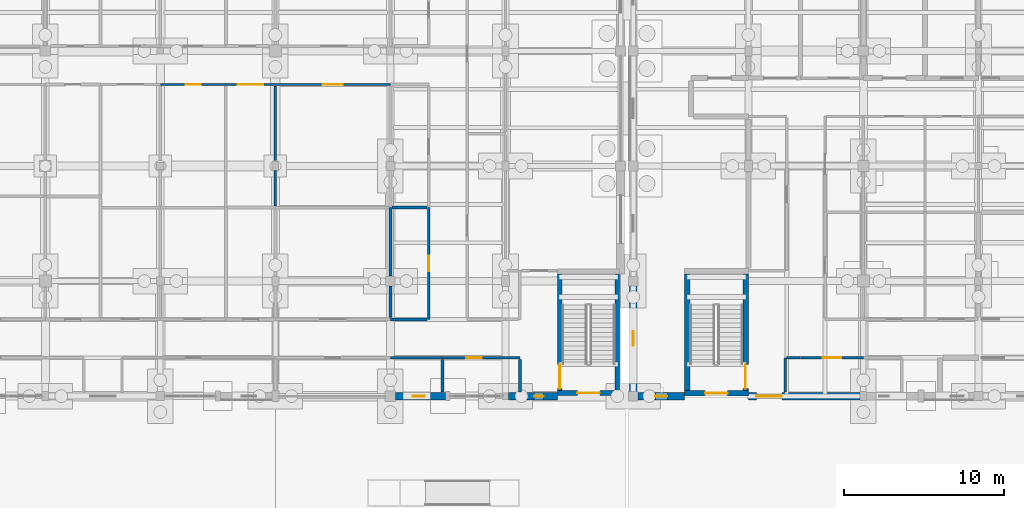
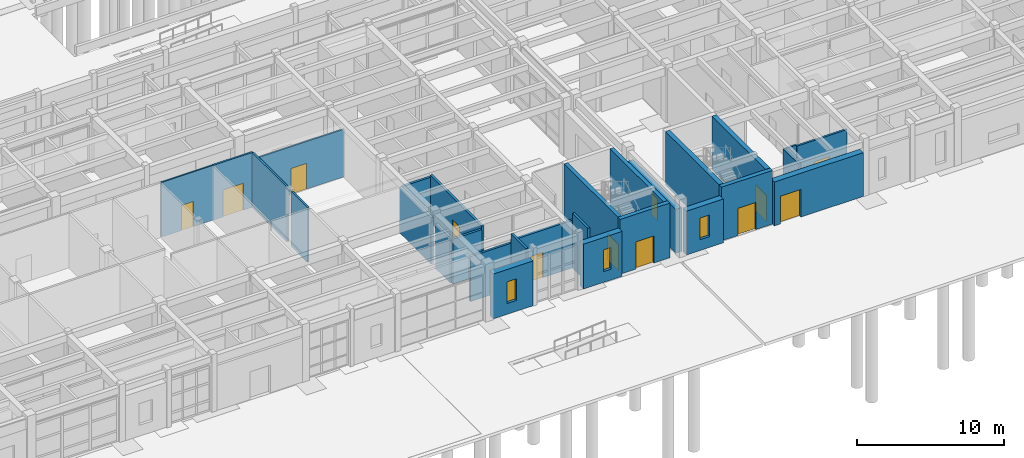
# One storey, part 100 of 143: 29 walls, 11 doors, 4 windows, 15 openings.
"""IFC4 building model written with IfcOpenShell, lengths in metres."""

import ifcopenshell
import ifcopenshell.guid

model = None  # the IFC model being written
_history = None  # IfcOwnerHistory: only IFC2X3 demands one
_inside = {}  # id of a spatial element -> (the spatial element, [elements in it])
_under = {}  # id of a project, library or spatial element -> (it, [spatial elements below it])
_declared = {}  # id of a project -> (the project, [libraries it declares])
_typed = {}  # id of a type object -> (the type object, [elements of that type])
_made_of = {}  # id of a material, layer set ... -> (it, [elements and type objects made of it])


def new_model(schema):
    """Start an empty IFC model of exactly this schema.

    Asked for "IFC4X3", IfcOpenShell would pick the latest addendum, in which some entities
    have other attributes; the version numbers below select the first issue.
    IFC2X3 requires an IfcOwnerHistory on every rooted entity: one is made here for all.
    """
    global model, _history
    if schema == "IFC4X3":
        model = ifcopenshell.file(schema_version=(4, 3, 0, 0))
    else:
        model = ifcopenshell.file(schema=schema)
    _inside.clear()
    _under.clear()
    _declared.clear()
    _typed.clear()
    _made_of.clear()
    _history = None
    if model.schema == "IFC2X3":
        org = make("IfcOrganization", Name="unknown")
        user = make(
            "IfcPersonAndOrganization",
            ThePerson=make("IfcPerson", FamilyName="unknown"),
            TheOrganization=org,
        )
        app = make(
            "IfcApplication",
            ApplicationDeveloper=org,
            Version="unknown",
            ApplicationFullName="unknown",
            ApplicationIdentifier="unknown",
        )
        _history = make(
            "IfcOwnerHistory",
            OwningUser=user,
            OwningApplication=app,
            ChangeAction="ADDED",
            CreationDate=0,
        )
    return model


def make(cls, **values):
    """One entity of the class cls with the attributes given. An attribute that is None is left unset."""
    return model.create_entity(
        cls, **{name: value for name, value in values.items() if value is not None}
    )


def rooted(cls, **values):
    """An entity with a GlobalId (a new one), such as an element, a storey or a relation."""
    return make(cls, GlobalId=ifcopenshell.guid.new(), OwnerHistory=_history, **values)


def si_unit(unit_type, name, prefix=None):
    """IfcSIUnit, for example si_unit("LENGTHUNIT", "METRE", prefix="MILLI")."""
    return make("IfcSIUnit", UnitType=unit_type, Prefix=prefix, Name=name)


def assignment(units):
    """IfcUnitAssignment: the units of a project."""
    return None if units is None else make("IfcUnitAssignment", Units=units)


def point(xyz):
    """IfcCartesianPoint."""
    return None if xyz is None else make("IfcCartesianPoint", Coordinates=xyz)


def direction(xyz):
    """IfcDirection."""
    return None if xyz is None else make("IfcDirection", DirectionRatios=xyz)


def frame(location, z_axis=None, x_axis=None):
    """IfcAxis2Placement3D, a coordinate frame: its origin and axes. An axis left out is left unset."""
    return make(
        "IfcAxis2Placement3D",
        Location=point(location),
        Axis=direction(z_axis),
        RefDirection=direction(x_axis),
    )


def frame_2d(location, x_axis=None):
    """IfcAxis2Placement2D, a coordinate frame in the plane: its origin and x axis."""
    return make(
        "IfcAxis2Placement2D", Location=point(location), RefDirection=direction(x_axis)
    )


def origin():
    """The frame at (0, 0, 0) with its axes left unset."""
    return frame((0.0, 0.0, 0.0))


def place(relative_to, where):
    """IfcLocalPlacement: puts the frame where relative to a parent placement (None: the world)."""
    return make(
        "IfcLocalPlacement", PlacementRelTo=relative_to, RelativePlacement=where
    )


def context(
    kind, dimensions, precision=None, world=None, true_north=None, identifier=None
):
    """IfcGeometricRepresentationContext, for example the 3D "Model" context."""
    return make(
        "IfcGeometricRepresentationContext",
        ContextIdentifier=identifier,
        ContextType=kind,
        CoordinateSpaceDimension=dimensions,
        Precision=precision,
        WorldCoordinateSystem=world,
        TrueNorth=true_north,
    )


def subcontext(parent, identifier, kind, view, scale=None):
    """IfcGeometricRepresentationSubContext, for example "Body" below "Model"."""
    return make(
        "IfcGeometricRepresentationSubContext",
        ContextIdentifier=identifier,
        ContextType=kind,
        ParentContext=parent,
        TargetScale=scale,
        TargetView=view,
    )


def project(units=None, contexts=None):
    """IfcProject with its units and contexts."""
    return rooted(
        "IfcProject",
        Name="project",
        RepresentationContexts=contexts,
        UnitsInContext=assignment(units),
    )


def spatial(cls, under=None, at=None, **own):
    """A site, building, storey or space (cls), placed at a placement, below another one or the project."""
    s = rooted(cls, ObjectPlacement=at, **own)
    if under is not None:
        _under.setdefault(under.id(), (under, []))[1].append(s)
    return s


def profile(cls, at=None, kind="AREA", **sizes):
    """A parametric profile (cls). Its sizes go by their IFC names, for example OverallWidth=200.0."""
    return make(cls, ProfileType=kind, Position=at, **sizes)


def rectangle(**sizes):
    """IfcRectangleProfileDef."""
    return profile("IfcRectangleProfileDef", **sizes)


def extrude(swept, where, along, depth):
    """IfcExtrudedAreaSolid: the profile swept, set in the frame where, extruded along a direction by depth."""
    return make(
        "IfcExtrudedAreaSolid",
        SweptArea=swept,
        Position=where,
        ExtrudedDirection=direction(along),
        Depth=depth,
    )


def shape(context_of_items, identifier, shape_type, items):
    """IfcShapeRepresentation: the items that make up one representation, for example the "Body"."""
    return make(
        "IfcShapeRepresentation",
        ContextOfItems=context_of_items,
        RepresentationIdentifier=identifier,
        RepresentationType=shape_type,
        Items=items,
    )


def material(Name=None, Category=None):
    """IfcMaterial."""
    return make("IfcMaterial", Name=Name, Category=Category)


def layer(
    of_material, thickness, ventilated=None, Name=None, Category=None, Priority=None
):
    """IfcMaterialLayer: one layer of a wall or slab, of a material (None: an air gap)."""
    return make(
        "IfcMaterialLayer",
        Material=of_material,
        LayerThickness=thickness,
        IsVentilated=ventilated,
        Name=Name,
        Category=Category,
        Priority=Priority,
    )


def layer_set(layers, Name=None):
    """IfcMaterialLayerSet."""
    return make("IfcMaterialLayerSet", MaterialLayers=layers, LayerSetName=Name)


def made_of(thing, what):
    """Note that an element or type object is made of a material, layer set ...; save() writes the relation."""
    if what is not None:
        _made_of.setdefault(what.id(), (what, []))[1].append(thing)
    return thing


def type_object(cls, material=None, **own):
    """A type object (cls), such as IfcWallType, which elements share."""
    return made_of(rooted(cls, **own), material)


def element(
    cls,
    number,
    at=None,
    inside=None,
    cuts=None,
    type_object=None,
    material=None,
    context=None,
    identifier="Body",
    shape_type=None,
    held_by="IfcProductDefinitionShape",
    body=None,
    shapes=None,
    **own,
):
    """One element of the class cls, such as IfcWall. Its Tag is "e" and its number.

    at: its placement. inside: the storey or other place that contains it. cuts: it is an
    opening in that element (IfcRelVoidsElement). A single representation is given by context,
    identifier, shape_type and body (its items); several are given by shapes. held_by: the class
    of the entity that holds the representations. save() writes the other relations.
    """
    e = rooted(cls, Tag="e%d" % number, ObjectPlacement=at, **own)
    if body is not None:
        shapes = [shape(context, identifier, shape_type, body)]
    if shapes is not None:
        e.Representation = make(held_by, Representations=shapes)
    if inside is not None:
        _inside.setdefault(inside.id(), (inside, []))[1].append(e)
    if cuts is not None:
        rooted(
            "IfcRelVoidsElement", RelatingBuildingElement=cuts, RelatedOpeningElement=e
        )
    if type_object is not None:
        _typed.setdefault(type_object.id(), (type_object, []))[1].append(e)
    return made_of(e, material)


def fill(opening, filler):
    """IfcRelFillsElement: the door or window that sits in an opening."""
    return rooted(
        "IfcRelFillsElement",
        RelatingOpeningElement=opening,
        RelatedBuildingElement=filler,
    )


def aggregate(whole, parts):
    """IfcRelAggregates: a whole, such as a stair, and the parts it consists of."""
    return rooted("IfcRelAggregates", RelatingObject=whole, RelatedObjects=parts)


def save(model, path):
    """Write the relations noted so far, then the file.

    IfcRelAggregates (storeys below a building ...), IfcRelContainedInSpatialStructure (elements
    in a storey), IfcRelDefinesByType, IfcRelAssociatesMaterial and IfcRelDeclares: one each for
    every whole, place, type object, material and project.
    """
    for whole, parts in _under.values():
        aggregate(whole, parts)
    for where, things in _inside.values():
        rooted(
            "IfcRelContainedInSpatialStructure",
            RelatedElements=things,
            RelatingStructure=where,
        )
    for kind, things in _typed.values():
        rooted("IfcRelDefinesByType", RelatedObjects=things, RelatingType=kind)
    for what, things in _made_of.values():
        rooted("IfcRelAssociatesMaterial", RelatedObjects=things, RelatingMaterial=what)
    for by, libraries in _declared.values():
        rooted("IfcRelDeclares", RelatingContext=by, RelatedDefinitions=libraries)
    model.write(path)


model = new_model("IFC4")

# Units and contexts
model_context = context("Model", 3, precision=1e-05, world=origin(), true_north=direction((0.0, 1.0)))
body_context = subcontext(model_context, "Body", "Model", "MODEL_VIEW")
ifc_project = project(units=[si_unit("LENGTHUNIT", "METRE"), si_unit("AREAUNIT", "SQUARE_METRE"), si_unit("VOLUMEUNIT", "CUBIC_METRE"), si_unit("PLANEANGLEUNIT", "RADIAN"), si_unit("MASSUNIT", "GRAM", prefix="KILO")], contexts=[model_context])

# Site, building, storey
site_placement = place(None, origin())
site = spatial("IfcSite", under=ifc_project, at=site_placement, CompositionType="ELEMENT")
building_placement = place(site_placement, origin())
building = spatial("IfcBuilding", under=site, at=building_placement, Name="Steenspoor Specialist Clinic", CompositionType="ELEMENT")
storey_placement = place(building_placement, origin())
storey = spatial("IfcBuildingStorey", under=building, at=storey_placement, Name="L00", CompositionType="ELEMENT", Elevation=0.0)

# Wall, opening, window
ifc_material_1 = material(Name="Volcanic basalt ashlar masonry", Category="masonry")
ifc_layer_1 = layer(ifc_material_1, 0.47998046875)
ifc_layer_set_1 = layer_set([ifc_layer_1], Name="Volcanic basalt ashlar masonry")
wall_type_1 = type_object("IfcWallType", Name="W-BASALT-480", PredefinedType="SOLIDWALL", material=ifc_layer_set_1)
wall_1_placement = place(storey_placement, frame((113.25, 13.050048828125, 0.0), z_axis=(0.0, 0.0, 1.0), x_axis=(-1.0, 0.0, 0.0)))
wall_1 = element("IfcWall", 1, at=wall_1_placement, inside=storey, type_object=wall_type_1, Name="Exterior Brick Wall EW-V1-L00-0001", PredefinedType="SOLIDWALL", context=body_context, shape_type="SweptSolid", body=[
    extrude(rectangle(XDim=3.050048828125, YDim=0.47998046875, at=frame_2d((1.52490234375, 0.0))), origin(), (0.0, 0.0, 1.0), 3.72998046875),
])
opening_1_placement = place(wall_1_placement, frame((0.864990234375, 0.0, 0.89990234375)))
opening_1 = element("IfcOpeningElement", 2, at=opening_1_placement, cuts=wall_1, Name="Opening WN-01", PredefinedType="OPENING", context=body_context, shape_type="SweptSolid", body=[
    extrude(rectangle(XDim=0.60009765625, YDim=1.800048828125, at=frame_2d((0.300048828125, 0.89990234375))), frame((0.0, 0.25, 0.0), z_axis=(0.0, -1.0, 0.0), x_axis=(1.0, 0.0, 0.0)), (0.0, 0.0, 1.0), 0.5),
])
ifc_material_2 = material(Name="Thermally broken aluminium and low-emissivity glass", Category="aluminium")
window_type_1 = type_object("IfcWindowType", Name="WN-EXT-060X180", PartitioningType="SINGLE_PANEL", PredefinedType="WINDOW", material=ifc_material_2)
window_1_placement = place(opening_1_placement, origin())
window_1 = element("IfcWindow", 3, at=window_1_placement, inside=storey, type_object=window_type_1, Name="Window 0001", OverallHeight=1.800048828125, OverallWidth=0.60009765625, PartitioningType="SINGLE_PANEL", PredefinedType="WINDOW", context=body_context, shape_type="SweptSolid", body=[
    extrude(rectangle(XDim=0.60009765625, YDim=1.800048828125, at=frame_2d((0.300048828125, 0.89990234375))), frame((0.0, 0.030029296875, 0.0), z_axis=(0.0, -1.0, 0.0), x_axis=(1.0, 0.0, 0.0)), (0.0, 0.0, 1.0), 0.06005859375),
])
fill(opening_1, window_1)

wall_2_placement = place(storey_placement, frame((106.260009765625, 13.050048828125, 0.0), z_axis=(0.0, 0.0, 1.0), x_axis=(-1.0, 0.0, 0.0)))
wall_2 = element("IfcWall", 4, at=wall_2_placement, inside=storey, type_object=wall_type_1, Name="Exterior Brick Wall EW-V1-L00-0002", PredefinedType="SOLIDWALL", context=body_context, shape_type="SweptSolid", body=[
    extrude(rectangle(XDim=3.135009765625, YDim=0.47998046875, at=frame_2d((1.5673828125, 0.0))), origin(), (0.0, 0.0, 1.0), 3.72998046875),
])
opening_2_placement = place(wall_2_placement, frame((1.3076171875, 0.0, 0.89990234375)))
opening_2 = element("IfcOpeningElement", 5, at=opening_2_placement, cuts=wall_2, Name="Opening WN-02", PredefinedType="OPENING", context=body_context, shape_type="SweptSolid", body=[
    extrude(rectangle(XDim=0.75, YDim=1.800048828125, at=frame_2d((0.375, 0.89990234375))), frame((0.0, 0.25, 0.0), z_axis=(0.0, -1.0, 0.0), x_axis=(1.0, 0.0, 0.0)), (0.0, 0.0, 1.0), 0.5),
])
window_type_2 = type_object("IfcWindowType", Name="WN-EXT-075X180", PartitioningType="SINGLE_PANEL", PredefinedType="WINDOW", material=ifc_material_2)
window_2_placement = place(opening_2_placement, origin())
window_2 = element("IfcWindow", 6, at=window_2_placement, inside=storey, type_object=window_type_2, Name="Window 0002", OverallHeight=1.800048828125, OverallWidth=0.75, PartitioningType="SINGLE_PANEL", PredefinedType="WINDOW", context=body_context, shape_type="SweptSolid", body=[
    extrude(rectangle(XDim=0.75, YDim=1.800048828125, at=frame_2d((0.375, 0.89990234375))), frame((0.0, 0.030029296875, 0.0), z_axis=(0.0, -1.0, 0.0), x_axis=(1.0, 0.0, 0.0)), (0.0, 0.0, 1.0), 0.06005859375),
])
fill(opening_2, window_2)

# Wall, opening, door
wall_3_placement = place(storey_placement, frame((132.199951171875, 13.050048828125, 0.0), z_axis=(0.0, 0.0, 1.0), x_axis=(-1.0, 0.0, 0.0)))
wall_3 = element("IfcWall", 7, at=wall_3_placement, inside=storey, type_object=wall_type_1, Name="Exterior Brick Wall EW-V2-L00-0041", PredefinedType="SOLIDWALL", context=body_context, shape_type="SweptSolid", body=[
    extrude(rectangle(XDim=7.0, YDim=0.47998046875, at=frame_2d((3.5, 0.0))), origin(), (0.0, 0.0, 1.0), 3.639892578125),
])
opening_3_placement = place(wall_3_placement, frame((4.905029296875, 0.0, 0.0)))
opening_3 = element("IfcOpeningElement", 8, at=opening_3_placement, cuts=wall_3, Name="Opening ED14", PredefinedType="OPENING", context=body_context, shape_type="SweptSolid", body=[
    extrude(rectangle(XDim=1.60009765625, YDim=2.300048828125, at=frame_2d((0.800048828125, 1.14990234375))), frame((0.0, 0.25, 0.0), z_axis=(0.0, -1.0, 0.0), x_axis=(1.0, 0.0, 0.0)), (0.0, 0.0, 1.0), 0.5),
])
ifc_material_3 = material(Name="Anodised aluminium and safety glass", Category="aluminium")
door_type_1 = type_object("IfcDoorType", Name="DT-EXIT-160X230", OperationType="NOTDEFINED", PredefinedType="DOOR", material=ifc_material_3)
door_1_placement = place(opening_3_placement, origin())
door_1 = element("IfcDoor", 9, at=door_1_placement, inside=storey, type_object=door_type_1, Name="Main Pedestrian Entrance Exit ED14", OperationType="DOUBLE_DOOR_SINGLE_SWING", OverallHeight=2.300048828125, OverallWidth=1.60009765625, PredefinedType="DOOR", context=body_context, shape_type="SweptSolid", body=[
    extrude(rectangle(XDim=1.60009765625, YDim=2.300048828125, at=frame_2d((0.800048828125, 1.14990234375))), frame((0.0, 0.02490234375, 0.0), z_axis=(0.0, -1.0, 0.0), x_axis=(1.0, 0.0, 0.0)), (0.0, 0.0, 1.0), 0.050048828125),
])
fill(opening_3, door_1)

# Wall, opening, window
wall_4_placement = place(storey_placement, frame((121.199951171875, 13.050048828125, 0.0), z_axis=(0.0, 0.0, 1.0), x_axis=(-1.0, 0.0, 0.0)))
wall_4 = element("IfcWall", 10, at=wall_4_placement, inside=storey, type_object=wall_type_1, Name="Exterior Brick Wall EW-V2-L00-0042", PredefinedType="SOLIDWALL", context=body_context, shape_type="SweptSolid", body=[
    extrude(rectangle(XDim=2.89990234375, YDim=0.47998046875, at=frame_2d((1.449951171875, 0.0))), origin(), (0.0, 0.0, 1.0), 3.639892578125),
])
opening_4_placement = place(wall_4_placement, frame((1.074951171875, 0.0, 0.89990234375)))
opening_4 = element("IfcOpeningElement", 11, at=opening_4_placement, cuts=wall_4, Name="Opening WN-02", PredefinedType="OPENING", context=body_context, shape_type="SweptSolid", body=[
    extrude(rectangle(XDim=0.75, YDim=1.800048828125, at=frame_2d((0.375, 0.89990234375))), frame((0.0, 0.25, 0.0), z_axis=(0.0, -1.0, 0.0), x_axis=(1.0, 0.0, 0.0)), (0.0, 0.0, 1.0), 0.5),
])
window_3_placement = place(opening_4_placement, origin())
window_3 = element("IfcWindow", 12, at=window_3_placement, inside=storey, type_object=window_type_2, Name="Window 0050", OverallHeight=1.800048828125, OverallWidth=0.75, PartitioningType="SINGLE_PANEL", PredefinedType="WINDOW", context=body_context, shape_type="SweptSolid", body=[
    extrude(rectangle(XDim=0.75, YDim=1.800048828125, at=frame_2d((0.375, 0.89990234375))), frame((0.0, 0.030029296875, 0.0), z_axis=(0.0, -1.0, 0.0), x_axis=(1.0, 0.0, 0.0)), (0.0, 0.0, 1.0), 0.06005859375),
])
fill(opening_4, window_3)

wall_5_placement = place(storey_placement, frame((118.0, 13.35009765625, 0.0), z_axis=(0.0, 0.0, 1.0), x_axis=(0.0, 1.0, 0.0)))
wall_5 = element("IfcWall", 13, at=wall_5_placement, inside=storey, type_object=wall_type_1, Name="Exterior Brick Wall EW-V2-L00-0043", PredefinedType="SOLIDWALL", context=body_context, shape_type="SweptSolid", body=[
    extrude(rectangle(XDim=6.599853515625, YDim=0.47998046875, at=frame_2d((3.2998046875, 0.0))), origin(), (0.0, 0.0, 1.0), 3.639892578125),
])
opening_5_placement = place(wall_5_placement, frame((2.85009765625, 0.0, 0.89990234375)))
opening_5 = element("IfcOpeningElement", 14, at=opening_5_placement, cuts=wall_5, Name="Opening WN-03", PredefinedType="OPENING", context=body_context, shape_type="SweptSolid", body=[
    extrude(rectangle(XDim=0.89990234375, YDim=1.800048828125, at=frame_2d((0.449951171875, 0.89990234375))), frame((0.0, 0.25, 0.0), z_axis=(0.0, -1.0, 0.0), x_axis=(1.0, 0.0, 0.0)), (0.0, 0.0, 1.0), 0.5),
])
window_type_3 = type_object("IfcWindowType", Name="WN-EXT-090X180", PartitioningType="SINGLE_PANEL", PredefinedType="WINDOW", material=ifc_material_2)
window_4_placement = place(opening_5_placement, origin())
window_4 = element("IfcWindow", 15, at=window_4_placement, inside=storey, type_object=window_type_3, Name="Window 0051", OverallHeight=1.800048828125, OverallWidth=0.89990234375, PartitioningType="SINGLE_PANEL", PredefinedType="WINDOW", context=body_context, shape_type="SweptSolid", body=[
    extrude(rectangle(XDim=0.89990234375, YDim=1.800048828125, at=frame_2d((0.449951171875, 0.89990234375))), frame((0.0, 0.030029296875, 0.0), z_axis=(0.0, -1.0, 0.0), x_axis=(1.0, 0.0, 0.0)), (0.0, 0.0, 1.0), 0.06005859375),
])
fill(opening_5, window_4)

# Wall, opening, door
ifc_material_4 = material(Name="Gypsum acoustic clinical partition", Category="gypsum")
ifc_layer_2 = layer(ifc_material_4, 0.14990234375)
ifc_layer_set_2 = layer_set([ifc_layer_2], Name="Gypsum acoustic clinical partition")
wall_type_2 = type_object("IfcWallType", Name="W-CLIN-150", PredefinedType="PARTITIONING", material=ifc_layer_set_2)
wall_6_placement = place(storey_placement, frame((92.5, 32.550048828125, 0.0), z_axis=(0.0, 0.0, 1.0), x_axis=(1.0, 0.0, 0.0)))
wall_6 = element("IfcWall", 16, at=wall_6_placement, inside=storey, type_object=wall_type_2, Name="Interior Partition IW-V1-L00-0178", PredefinedType="PARTITIONING", context=body_context, shape_type="SweptSolid", body=[
    extrude(rectangle(XDim=3.10009765625, YDim=0.14990234375, at=frame_2d((1.550048828125, 0.0))), origin(), (0.0, 0.0, 1.0), 4.550048828125),
])
opening_6_placement = place(wall_6_placement, frame((0.75, 0.0, 0.0)))
opening_6 = element("IfcOpeningElement", 17, at=opening_6_placement, cuts=wall_6, Name="Opening D0025", PredefinedType="OPENING", context=body_context, shape_type="SweptSolid", body=[
    extrude(rectangle(XDim=1.60009765625, YDim=2.25, at=frame_2d((0.800048828125, 1.125))), frame((0.0, 0.0849609375, 0.0), z_axis=(0.0, -1.0, 0.0), x_axis=(1.0, 0.0, 0.0)), (0.0, 0.0, 1.0), 0.169921875),
])
ifc_material_5 = material(Name="Hygienic HPL clinical timber door", Category="wood")
door_type_2 = type_object("IfcDoorType", Name="DT-PROC-160X225", OperationType="NOTDEFINED", PredefinedType="DOOR", material=ifc_material_5)
door_2_placement = place(opening_6_placement, origin())
door_2 = element("IfcDoor", 18, at=door_2_placement, inside=storey, type_object=door_type_2, Name="Clinical Door D0025", OperationType="SINGLE_SWING_RIGHT", OverallHeight=2.25, OverallWidth=1.60009765625, PredefinedType="DOOR", context=body_context, shape_type="SweptSolid", body=[
    extrude(rectangle(XDim=1.60009765625, YDim=2.25, at=frame_2d((0.800048828125, 1.125))), frame((0.0, 0.02490234375, 0.0), z_axis=(0.0, -1.0, 0.0), x_axis=(1.0, 0.0, 0.0)), (0.0, 0.0, 1.0), 0.050048828125),
])
fill(opening_6, door_2)

wall_7_placement = place(storey_placement, frame((128.449951171875, 15.449951171875, 0.0), z_axis=(0.0, 0.0, 1.0), x_axis=(1.0, 0.0, 0.0)))
wall_7 = element("IfcWall", 19, at=wall_7_placement, inside=storey, type_object=wall_type_2, Name="Interior Partition IW-V2-L00-0185", PredefinedType="PARTITIONING", context=body_context, shape_type="SweptSolid", body=[
    extrude(rectangle(XDim=3.949951171875, YDim=0.14990234375, at=frame_2d((1.97509765625, 0.0))), origin(), (0.0, 0.0, 1.0), 3.925048828125),
])
opening_7_placement = place(wall_7_placement, frame((1.39990234375, 0.0, 0.0)))
opening_7 = element("IfcOpeningElement", 20, at=opening_7_placement, cuts=wall_7, Name="Opening D0081", PredefinedType="OPENING", context=body_context, shape_type="SweptSolid", body=[
    extrude(rectangle(XDim=1.14990234375, YDim=2.14990234375, at=frame_2d((0.574951171875, 1.074951171875))), frame((0.0, 0.0849609375, 0.0), z_axis=(0.0, -1.0, 0.0), x_axis=(1.0, 0.0, 0.0)), (0.0, 0.0, 1.0), 0.169921875),
])
ifc_material_6 = material(Name="Solid-core hardwood clinical door", Category="wood")
door_type_3 = type_object("IfcDoorType", Name="DT-CONS-115X215", OperationType="NOTDEFINED", PredefinedType="DOOR", material=ifc_material_6)
door_3_placement = place(opening_7_placement, origin())
door_3 = element("IfcDoor", 21, at=door_3_placement, inside=storey, type_object=door_type_3, Name="Clinical Door D0081", OperationType="SINGLE_SWING_RIGHT", OverallHeight=2.14990234375, OverallWidth=1.14990234375, PredefinedType="DOOR", context=body_context, shape_type="SweptSolid", body=[
    extrude(rectangle(XDim=1.14990234375, YDim=2.14990234375, at=frame_2d((0.574951171875, 1.074951171875))), frame((0.0, 0.02490234375, 0.0), z_axis=(0.0, -1.0, 0.0), x_axis=(1.0, 0.0, 0.0)), (0.0, 0.0, 1.0), 0.050048828125),
])
fill(opening_7, door_3)

# Walls
wall_8_placement = place(storey_placement, frame((127.5, 13.304931640625, 0.0), z_axis=(0.0, 0.0, 1.0), x_axis=(0.0, 1.0, 0.0)))
element("IfcWall", 22, at=wall_8_placement, inside=storey, type_object=wall_type_2, Name="Interior Partition IW-V2-L00-0188", PredefinedType="PARTITIONING", context=body_context, shape_type="SweptSolid", body=[
    extrude(rectangle(XDim=2.14501953125, YDim=0.14990234375, at=frame_2d((1.072509765625, 0.0))), origin(), (0.0, 0.0, 1.0), 4.02490234375),
])
wall_9_placement = place(storey_placement, frame((127.590087890625, 15.449951171875, 0.0), z_axis=(0.0, 0.0, 1.0), x_axis=(1.0, 0.0, 0.0)))
element("IfcWall", 23, at=wall_9_placement, inside=storey, type_object=wall_type_2, Name="Interior Partition IW-V2-L00-0189", PredefinedType="PARTITIONING", context=body_context, shape_type="SweptSolid", body=[
    extrude(rectangle(XDim=0.844970703125, YDim=0.14990234375, at=frame_2d((0.42236328125, 0.0))), origin(), (0.0, 0.0, 1.0), 4.02490234375),
])
wall_10_placement = place(storey_placement, frame((95.60009765625, 24.955078125, 0.0), z_axis=(0.0, 0.0, 1.0), x_axis=(0.0, 1.0, 0.0)))
element("IfcWall", 24, at=wall_10_placement, inside=storey, type_object=wall_type_2, Name="Interior Partition IW-V1-L00-0561", PredefinedType="PARTITIONING", context=body_context, shape_type="SweptSolid", body=[
    extrude(rectangle(XDim=2.204833984375, YDim=0.14990234375, at=frame_2d((1.1025390625, 0.0))), origin(), (0.0, 0.0, 1.0), 4.550048828125),
])
wall_11_placement = place(storey_placement, frame((95.60009765625, 27.739990234375, 0.0), z_axis=(0.0, 0.0, 1.0), x_axis=(0.0, 1.0, 0.0)))
element("IfcWall", 25, at=wall_11_placement, inside=storey, type_object=wall_type_2, Name="Interior Partition IW-V1-L00-0562", PredefinedType="PARTITIONING", context=body_context, shape_type="SweptSolid", body=[
    extrude(rectangle(XDim=4.719970703125, YDim=0.14990234375, at=frame_2d((2.35986328125, 0.0))), origin(), (0.0, 0.0, 1.0), 4.550048828125),
])

# Wall, opening, door
ifc_material_7 = material(Name="Concrete C40/50", Category="concrete")
ifc_layer_3 = layer(ifc_material_7, 0.330078125)
ifc_layer_set_3 = layer_set([ifc_layer_3], Name="Concrete C40/50")
wall_type_3 = type_object("IfcWallType", Name="W-ESW-330", PredefinedType="SHEAR", material=ifc_layer_set_3)
wall_12_placement = place(storey_placement, frame((117.14990234375, 13.25, 0.0), z_axis=(0.0, 0.0, 1.0), x_axis=(-1.0, 0.0, 0.0)))
wall_12 = element("IfcWall", 26, at=wall_12_placement, inside=storey, type_object=wall_type_3, Name="Core Shear Wall SW-ST-V1B-L00-S", PredefinedType="SHEAR", context=body_context, shape_type="SweptSolid", body=[
    extrude(rectangle(XDim=3.89990234375, YDim=0.330078125, at=frame_2d((1.949951171875, 0.0))), origin(), (0.0, 0.0, 1.0), 4.550048828125),
])
opening_8_placement = place(wall_12_placement, frame((1.25, 0.0, 0.0)))
opening_8 = element("IfcOpeningElement", 27, at=opening_8_placement, cuts=wall_12, Name="Opening ED02", PredefinedType="OPENING", context=body_context, shape_type="SweptSolid", body=[
    extrude(rectangle(XDim=1.39990234375, YDim=2.25, at=frame_2d((0.699951171875, 1.125))), frame((0.0, 0.175048828125, 0.0), z_axis=(0.0, -1.0, 0.0), x_axis=(1.0, 0.0, 0.0)), (0.0, 0.0, 1.0), 0.35009765625),
])
ifc_material_8 = material(Name="Painted galvanised steel door", Category="steel")
door_type_4 = type_object("IfcDoorType", Name="DT-EXIT-140X225", OperationType="NOTDEFINED", PredefinedType="DOOR", material=ifc_material_8)
door_4_placement = place(opening_8_placement, origin())
door_4 = element("IfcDoor", 28, at=door_4_placement, inside=storey, type_object=door_type_4, Name="Exit Stair Discharge Door ED02", OperationType="SINGLE_SWING_RIGHT", OverallHeight=2.25, OverallWidth=1.39990234375, PredefinedType="DOOR", context=body_context, shape_type="SweptSolid", body=[
    extrude(rectangle(XDim=1.39990234375, YDim=2.25, at=frame_2d((0.699951171875, 1.125))), frame((0.0, 0.02490234375, 0.0), z_axis=(0.0, -1.0, 0.0), x_axis=(1.0, 0.0, 0.0)), (0.0, 0.0, 1.0), 0.050048828125),
])
fill(opening_8, door_4)

wall_13_placement = place(storey_placement, frame((125.199951171875, 13.22509765625, 0.0), z_axis=(0.0, 0.0, 1.0), x_axis=(-1.0, 0.0, 0.0)))
wall_13 = element("IfcWall", 29, at=wall_13_placement, inside=storey, type_object=wall_type_3, Name="Core Shear Wall SW-ST-V2A-L00-S", PredefinedType="SHEAR", context=body_context, shape_type="SweptSolid", body=[
    extrude(rectangle(XDim=4.0, YDim=0.330078125, at=frame_2d((2.0, 0.0))), origin(), (0.0, 0.0, 1.0), 4.4599609375),
])
opening_9_placement = place(wall_13_placement, frame((1.300048828125, 0.0, 0.0)))
opening_9 = element("IfcOpeningElement", 30, at=opening_9_placement, cuts=wall_13, Name="Opening ED03", PredefinedType="OPENING", context=body_context, shape_type="SweptSolid", body=[
    extrude(rectangle(XDim=1.39990234375, YDim=2.25, at=frame_2d((0.699951171875, 1.125))), frame((0.0, 0.175048828125, 0.0), z_axis=(0.0, -1.0, 0.0), x_axis=(1.0, 0.0, 0.0)), (0.0, 0.0, 1.0), 0.35009765625),
])
door_5_placement = place(opening_9_placement, origin())
door_5 = element("IfcDoor", 31, at=door_5_placement, inside=storey, type_object=door_type_4, Name="Exit Stair Discharge Door ED03", OperationType="SINGLE_SWING_LEFT", OverallHeight=2.25, OverallWidth=1.39990234375, PredefinedType="DOOR", context=body_context, shape_type="SweptSolid", body=[
    extrude(rectangle(XDim=1.39990234375, YDim=2.25, at=frame_2d((0.699951171875, 1.125))), frame((0.0, 0.02490234375, 0.0), z_axis=(0.0, -1.0, 0.0), x_axis=(1.0, 0.0, 0.0)), (0.0, 0.0, 1.0), 0.050048828125),
])
fill(opening_9, door_5)

ifc_material_9 = material(Name="Gypsum studio partition board", Category="gypsum")
ifc_layer_4 = layer(ifc_material_9, 0.1201171875)
ifc_layer_set_4 = layer_set([ifc_layer_4], Name="Gypsum studio partition board")
wall_type_4 = type_object("IfcWallType", Name="W-PART-120", PredefinedType="PARTITIONING", material=ifc_layer_set_4)
wall_14_placement = place(storey_placement, frame((88.4150390625, 32.550048828125, 0.0), z_axis=(0.0, 0.0, 1.0), x_axis=(1.0, 0.0, 0.0)))
wall_14 = element("IfcWall", 32, at=wall_14_placement, inside=storey, type_object=wall_type_4, Name="Interior Partition IW-V1-L00-0298", PredefinedType="PARTITIONING", context=body_context, shape_type="SweptSolid", body=[
    extrude(rectangle(XDim=4.070068359375, YDim=0.1201171875, at=frame_2d((2.03515625, 0.0))), origin(), (0.0, 0.0, 1.0), 4.550048828125),
])
opening_10_placement = place(wall_14_placement, frame((1.56005859375, 0.0, 0.0)))
opening_10 = element("IfcOpeningElement", 33, at=opening_10_placement, cuts=wall_14, Name="Opening D0024", PredefinedType="OPENING", context=body_context, shape_type="SweptSolid", body=[
    extrude(rectangle(XDim=0.949951171875, YDim=2.10009765625, at=frame_2d((0.47509765625, 1.050048828125))), frame((0.0, 0.070068359375, 0.0), z_axis=(0.0, -1.0, 0.0), x_axis=(1.0, 0.0, 0.0)), (0.0, 0.0, 1.0), 0.14013671875),
])
ifc_material_10 = material(Name="Moisture-resistant HPL sanitary door", Category="wood")
door_type_5 = type_object("IfcDoorType", Name="DT-WC-095X210", OperationType="NOTDEFINED", PredefinedType="DOOR", material=ifc_material_10)
door_6_placement = place(opening_10_placement, origin())
door_6 = element("IfcDoor", 34, at=door_6_placement, inside=storey, type_object=door_type_5, Name="Clinical Door D0024", OperationType="SINGLE_SWING_LEFT", OverallHeight=2.10009765625, OverallWidth=0.949951171875, PredefinedType="DOOR", context=body_context, shape_type="SweptSolid", body=[
    extrude(rectangle(XDim=0.949951171875, YDim=2.10009765625, at=frame_2d((0.47509765625, 1.050048828125))), frame((0.0, 0.02490234375, 0.0), z_axis=(0.0, -1.0, 0.0), x_axis=(1.0, 0.0, 0.0)), (0.0, 0.0, 1.0), 0.050048828125),
])
fill(opening_10, door_6)

wall_15_placement = place(storey_placement, frame((95.614990234375, 32.550048828125, 0.0), z_axis=(0.0, 0.0, 1.0), x_axis=(1.0, 0.0, 0.0)))
wall_15 = element("IfcWall", 35, at=wall_15_placement, inside=storey, type_object=wall_type_4, Name="Interior Partition IW-V1-L00-0299", PredefinedType="PARTITIONING", context=body_context, shape_type="SweptSolid", body=[
    extrude(rectangle(XDim=7.169921875, YDim=0.1201171875, at=frame_2d((3.5849609375, 0.0))), origin(), (0.0, 0.0, 1.0), 3.955078125),
])
opening_11_placement = place(wall_15_placement, frame((2.9599609375, 0.0, 0.0)))
opening_11 = element("IfcOpeningElement", 36, at=opening_11_placement, cuts=wall_15, Name="Opening D0026", PredefinedType="OPENING", context=body_context, shape_type="SweptSolid", body=[
    extrude(rectangle(XDim=1.25, YDim=2.14990234375, at=frame_2d((0.625, 1.074951171875))), frame((0.0, 0.070068359375, 0.0), z_axis=(0.0, -1.0, 0.0), x_axis=(1.0, 0.0, 0.0)), (0.0, 0.0, 1.0), 0.14013671875),
])
door_type_6 = type_object("IfcDoorType", Name="DT-EXAM-125X215", OperationType="NOTDEFINED", PredefinedType="DOOR", material=ifc_material_5)
door_7_placement = place(opening_11_placement, origin())
door_7 = element("IfcDoor", 37, at=door_7_placement, inside=storey, type_object=door_type_6, Name="Clinical Door D0026", OperationType="SINGLE_SWING_LEFT", OverallHeight=2.14990234375, OverallWidth=1.25, PredefinedType="DOOR", context=body_context, shape_type="SweptSolid", body=[
    extrude(rectangle(XDim=1.25, YDim=2.14990234375, at=frame_2d((0.625, 1.074951171875))), frame((0.0, 0.02490234375, 0.0), z_axis=(0.0, -1.0, 0.0), x_axis=(1.0, 0.0, 0.0)), (0.0, 0.0, 1.0), 0.050048828125),
])
fill(opening_11, door_7)

# Walls
ifc_material_11 = material(Name="Moisture-resistant gypsum plumbing wall", Category="gypsum")
ifc_layer_5 = layer(ifc_material_11, 0.179931640625)
ifc_layer_set_5 = layer_set([ifc_layer_5], Name="Moisture-resistant gypsum plumbing wall")
wall_type_5 = type_object("IfcWallType", Name="W-PLUMB-180", PredefinedType="PLUMBINGWALL", material=ifc_layer_set_5)
wall_16_placement = place(storey_placement, frame((102.800048828125, 15.449951171875, 0.0), z_axis=(0.0, 0.0, 1.0), x_axis=(1.0, 0.0, 0.0)))
element("IfcWall", 38, at=wall_16_placement, inside=storey, type_object=wall_type_5, Name="Interior Partition IW-V1-L00-0116", PredefinedType="PLUMBINGWALL", context=body_context, shape_type="SweptSolid", body=[
    extrude(rectangle(XDim=3.25, YDim=0.179931640625, at=frame_2d((1.625, 0.0))), origin(), (0.0, 0.0, 1.0), 3.735107421875),
])
wall_17_placement = place(storey_placement, frame((110.0, 15.449951171875, 0.0), z_axis=(0.0, 0.0, 1.0), x_axis=(1.0, 0.0, 0.0)))
element("IfcWall", 39, at=wall_17_placement, inside=storey, type_object=wall_type_5, Name="Interior Partition IW-V1-L00-0118", PredefinedType="PLUMBINGWALL", context=body_context, shape_type="SweptSolid", body=[
    extrude(rectangle(XDim=0.89990234375, YDim=0.179931640625, at=frame_2d((0.449951171875, 0.0))), origin(), (0.0, 0.0, 1.0), 3.955078125),
])
wall_18_placement = place(storey_placement, frame((110.89990234375, 13.304931640625, 0.0), z_axis=(0.0, 0.0, 1.0), x_axis=(0.0, 1.0, 0.0)))
element("IfcWall", 40, at=wall_18_placement, inside=storey, type_object=wall_type_5, Name="Interior Partition IW-V1-L00-0119", PredefinedType="PLUMBINGWALL", context=body_context, shape_type="SweptSolid", body=[
    extrude(rectangle(XDim=2.0400390625, YDim=0.179931640625, at=frame_2d((1.02001953125, 0.0))), origin(), (0.0, 0.0, 1.0), 4.550048828125),
])

# Wall, opening, door
wall_19_placement = place(storey_placement, frame((106.06494140625, 15.449951171875, 0.0), z_axis=(0.0, 0.0, 1.0), x_axis=(1.0, 0.0, 0.0)))
wall_19 = element("IfcWall", 41, at=wall_19_placement, inside=storey, type_object=wall_type_5, Name="Interior Partition IW-V1-L00-0120", PredefinedType="PLUMBINGWALL", context=body_context, shape_type="SweptSolid", body=[
    extrude(rectangle(XDim=3.920166015625, YDim=0.179931640625, at=frame_2d((1.9599609375, 0.0))), origin(), (0.0, 0.0, 1.0), 3.955078125),
])
opening_12_placement = place(wall_19_placement, frame((1.485107421875, 0.0, 0.0)))
opening_12 = element("IfcOpeningElement", 42, at=opening_12_placement, cuts=wall_19, Name="Opening D0008", PredefinedType="OPENING", context=body_context, shape_type="SweptSolid", body=[
    extrude(rectangle(XDim=0.949951171875, YDim=2.10009765625, at=frame_2d((0.47509765625, 1.050048828125))), frame((0.0, 0.10009765625, 0.0), z_axis=(0.0, -1.0, 0.0), x_axis=(1.0, 0.0, 0.0)), (0.0, 0.0, 1.0), 0.199951171875),
])
door_8_placement = place(opening_12_placement, origin())
door_8 = element("IfcDoor", 43, at=door_8_placement, inside=storey, type_object=door_type_5, Name="Clinical Door D0008", OperationType="SINGLE_SWING_LEFT", OverallHeight=2.10009765625, OverallWidth=0.949951171875, PredefinedType="DOOR", context=body_context, shape_type="SweptSolid", body=[
    extrude(rectangle(XDim=0.949951171875, YDim=2.10009765625, at=frame_2d((0.47509765625, 1.050048828125))), frame((0.0, 0.02490234375, 0.0), z_axis=(0.0, -1.0, 0.0), x_axis=(1.0, 0.0, 0.0)), (0.0, 0.0, 1.0), 0.050048828125),
])
fill(opening_12, door_8)

wall_20_placement = place(storey_placement, frame((105.199951171875, 17.85009765625, 0.0), z_axis=(0.0, 0.0, 1.0), x_axis=(0.0, 1.0, 0.0)))
wall_20 = element("IfcWall", 44, at=wall_20_placement, inside=storey, type_object=wall_type_5, Name="Interior Partition IW-V1-L00-0124", PredefinedType="PLUMBINGWALL", context=body_context, shape_type="SweptSolid", body=[
    extrude(rectangle(XDim=7.0, YDim=0.179931640625, at=frame_2d((3.5, 0.0))), origin(), (0.0, 0.0, 1.0), 3.955078125),
])
opening_13_placement = place(wall_20_placement, frame((3.02490234375, 0.0, 0.0)))
opening_13 = element("IfcOpeningElement", 45, at=opening_13_placement, cuts=wall_20, Name="Opening D0020", PredefinedType="OPENING", context=body_context, shape_type="SweptSolid", body=[
    extrude(rectangle(XDim=0.949951171875, YDim=2.10009765625, at=frame_2d((0.47509765625, 1.050048828125))), frame((0.0, 0.10009765625, 0.0), z_axis=(0.0, -1.0, 0.0), x_axis=(1.0, 0.0, 0.0)), (0.0, 0.0, 1.0), 0.199951171875),
])
door_9_placement = place(opening_13_placement, origin())
door_9 = element("IfcDoor", 46, at=door_9_placement, inside=storey, type_object=door_type_5, Name="Clinical Door D0020", OperationType="SINGLE_SWING_LEFT", OverallHeight=2.10009765625, OverallWidth=0.949951171875, PredefinedType="DOOR", context=body_context, shape_type="SweptSolid", body=[
    extrude(rectangle(XDim=0.949951171875, YDim=2.10009765625, at=frame_2d((0.47509765625, 1.050048828125))), frame((0.0, 0.02490234375, 0.0), z_axis=(0.0, -1.0, 0.0), x_axis=(1.0, 0.0, 0.0)), (0.0, 0.0, 1.0), 0.050048828125),
])
fill(opening_13, door_9)

# Walls
wall_21_placement = place(storey_placement, frame((102.800048828125, 17.85009765625, 0.0), z_axis=(0.0, 0.0, 1.0), x_axis=(1.0, 0.0, 0.0)))
element("IfcWall", 47, at=wall_21_placement, inside=storey, type_object=wall_type_5, Name="Interior Partition IW-V1-L00-0125", PredefinedType="PLUMBINGWALL", context=body_context, shape_type="SweptSolid", body=[
    extrude(rectangle(XDim=2.294921875, YDim=0.179931640625, at=frame_2d((1.1474609375, 0.0))), origin(), (0.0, 0.0, 1.0), 3.735107421875),
])
wall_22_placement = place(storey_placement, frame((106.050048828125, 13.304931640625, 0.0), z_axis=(0.0, 0.0, 1.0), x_axis=(0.0, 1.0, 0.0)))
element("IfcWall", 48, at=wall_22_placement, inside=storey, type_object=wall_type_5, Name="Interior Partition IW-V1-L00-0481", PredefinedType="PLUMBINGWALL", context=body_context, shape_type="SweptSolid", body=[
    extrude(rectangle(XDim=2.0400390625, YDim=0.179931640625, at=frame_2d((1.02001953125, 0.0))), origin(), (0.0, 0.0, 1.0), 4.550048828125),
])
wall_23_placement = place(storey_placement, frame((102.800048828125, 17.955078125, 0.0), z_axis=(0.0, 0.0, 1.0), x_axis=(0.0, 1.0, 0.0)))
element("IfcWall", 49, at=wall_23_placement, inside=storey, type_object=wall_type_5, Name="Interior Partition IW-V1-L00-0498", PredefinedType="PLUMBINGWALL", context=body_context, shape_type="SweptSolid", body=[
    extrude(rectangle(XDim=1.97998046875, YDim=0.179931640625, at=frame_2d((0.989990234375, 0.0))), origin(), (0.0, 0.0, 1.0), 3.735107421875),
])
wall_24_placement = place(storey_placement, frame((102.800048828125, 20.56494140625, 0.0), z_axis=(0.0, 0.0, 1.0), x_axis=(0.0, 1.0, 0.0)))
element("IfcWall", 50, at=wall_24_placement, inside=storey, type_object=wall_type_5, Name="Interior Partition IW-V1-L00-0499", PredefinedType="PLUMBINGWALL", context=body_context, shape_type="SweptSolid", body=[
    extrude(rectangle(XDim=4.28515625, YDim=0.179931640625, at=frame_2d((2.142578125, 0.0))), origin(), (0.0, 0.0, 1.0), 3.8349609375),
])
wall_25_placement = place(storey_placement, frame((102.905029296875, 24.85009765625, 0.0), z_axis=(0.0, 0.0, 1.0), x_axis=(1.0, 0.0, 0.0)))
element("IfcWall", 51, at=wall_25_placement, inside=storey, type_object=wall_type_5, Name="Interior Partition IW-V1-L00-0500", PredefinedType="PLUMBINGWALL", context=body_context, shape_type="SweptSolid", body=[
    extrude(rectangle(XDim=2.18994140625, YDim=0.179931640625, at=frame_2d((1.094970703125, 0.0))), origin(), (0.0, 0.0, 1.0), 3.8349609375),
])

# Wall, opening, door
ifc_layer_6 = layer(ifc_material_7, 0.300048828125)
ifc_layer_set_6 = layer_set([ifc_layer_6], Name="Concrete C40/50")
wall_type_6 = type_object("IfcWallType", Name="W-SW-300", PredefinedType="SHEAR", material=ifc_layer_set_6)
wall_26_placement = place(storey_placement, frame((113.39990234375, 13.39990234375, 0.0), z_axis=(0.0, 0.0, 1.0), x_axis=(0.0, 1.0, 0.0)))
wall_26 = element("IfcWall", 52, at=wall_26_placement, inside=storey, type_object=wall_type_6, Name="Core Shear Wall SW-ST-V1B-L00-W", PredefinedType="SHEAR", context=body_context, shape_type="SweptSolid", body=[
    extrude(rectangle(XDim=7.300048828125, YDim=0.300048828125, at=frame_2d((3.64990234375, 0.0))), origin(), (0.0, 0.0, 1.0), 4.550048828125),
])
opening_14_placement = place(wall_26_placement, frame((0.1201171875, 0.0, 0.0)))
opening_14 = element("IfcOpeningElement", 53, at=opening_14_placement, cuts=wall_26, Name="Opening SD003", PredefinedType="OPENING", context=body_context, shape_type="SweptSolid", body=[
    extrude(rectangle(XDim=1.5, YDim=2.14990234375, at=frame_2d((0.75, 1.074951171875))), frame((0.0, 0.16015625, 0.0), z_axis=(0.0, -1.0, 0.0), x_axis=(1.0, 0.0, 0.0)), (0.0, 0.0, 1.0), 0.320068359375),
])
ifc_material_12 = material(Name="Fire-rated steel acoustic door", Category="steel")
door_type_7 = type_object("IfcDoorType", Name="DT-STAIR-150X215", OperationType="NOTDEFINED", PredefinedType="DOOR", material=ifc_material_12)
door_10_placement = place(opening_14_placement, origin())
door_10 = element("IfcDoor", 54, at=door_10_placement, inside=storey, type_object=door_type_7, Name="Exit Stair Fire Door SD003", OperationType="SINGLE_SWING_RIGHT", OverallHeight=2.14990234375, OverallWidth=1.5, PredefinedType="DOOR", context=body_context, shape_type="SweptSolid", body=[
    extrude(rectangle(XDim=1.5, YDim=2.14990234375, at=frame_2d((0.75, 1.074951171875))), frame((0.0, 0.02490234375, 0.0), z_axis=(0.0, -1.0, 0.0), x_axis=(1.0, 0.0, 0.0)), (0.0, 0.0, 1.0), 0.050048828125),
])
fill(opening_14, door_10)

# Walls
wall_27_placement = place(storey_placement, frame((117.0, 13.39990234375, 0.0), z_axis=(0.0, 0.0, 1.0), x_axis=(0.0, 1.0, 0.0)))
element("IfcWall", 55, at=wall_27_placement, inside=storey, type_object=wall_type_6, Name="Core Shear Wall SW-ST-V1B-L00-E", PredefinedType="SHEAR", context=body_context, shape_type="SweptSolid", body=[
    extrude(rectangle(XDim=7.300048828125, YDim=0.300048828125, at=frame_2d((3.64990234375, 0.0))), origin(), (0.0, 0.0, 1.0), 4.550048828125),
])
ifc_layer_7 = layer(ifc_material_7, 0.35009765625)
ifc_layer_set_7 = layer_set([ifc_layer_7], Name="Concrete C40/50")
wall_type_7 = type_object("IfcWallType", Name="W-SW-350", PredefinedType="SHEAR", material=ifc_layer_set_7)
wall_28_placement = place(storey_placement, frame((121.375, 13.39990234375, 0.0), z_axis=(0.0, 0.0, 1.0), x_axis=(0.0, 1.0, 0.0)))
element("IfcWall", 56, at=wall_28_placement, inside=storey, type_object=wall_type_7, Name="Core Shear Wall SW-ST-V2A-L00-W", PredefinedType="SHEAR", context=body_context, shape_type="SweptSolid", body=[
    extrude(rectangle(XDim=7.300048828125, YDim=0.35009765625, at=frame_2d((3.64990234375, 0.0))), origin(), (0.0, 0.0, 1.0), 4.4599609375),
])

# Wall, opening, door
wall_29_placement = place(storey_placement, frame((125.02490234375, 13.39990234375, 0.0), z_axis=(0.0, 0.0, 1.0), x_axis=(0.0, 1.0, 0.0)))
wall_29 = element("IfcWall", 57, at=wall_29_placement, inside=storey, type_object=wall_type_7, Name="Core Shear Wall SW-ST-V2A-L00-E", PredefinedType="SHEAR", context=body_context, shape_type="SweptSolid", body=[
    extrude(rectangle(XDim=7.300048828125, YDim=0.35009765625, at=frame_2d((3.64990234375, 0.0))), origin(), (0.0, 0.0, 1.0), 4.4599609375),
])
opening_15_placement = place(wall_29_placement, frame((0.1201171875, 0.0, 0.0)))
opening_15 = element("IfcOpeningElement", 58, at=opening_15_placement, cuts=wall_29, Name="Opening SD005", PredefinedType="OPENING", context=body_context, shape_type="SweptSolid", body=[
    extrude(rectangle(XDim=1.5, YDim=2.14990234375, at=frame_2d((0.75, 1.074951171875))), frame((0.0, 0.18505859375, 0.0), z_axis=(0.0, -1.0, 0.0), x_axis=(1.0, 0.0, 0.0)), (0.0, 0.0, 1.0), 0.3701171875),
])
door_11_placement = place(opening_15_placement, origin())
door_11 = element("IfcDoor", 59, at=door_11_placement, inside=storey, type_object=door_type_7, Name="Exit Stair Fire Door SD005", OperationType="SINGLE_SWING_RIGHT", OverallHeight=2.14990234375, OverallWidth=1.5, PredefinedType="DOOR", context=body_context, shape_type="SweptSolid", body=[
    extrude(rectangle(XDim=1.5, YDim=2.14990234375, at=frame_2d((0.75, 1.074951171875))), frame((0.0, 0.02490234375, 0.0), z_axis=(0.0, -1.0, 0.0), x_axis=(1.0, 0.0, 0.0)), (0.0, 0.0, 1.0), 0.050048828125),
])
fill(opening_15, door_11)

save(model, "model.ifc")
